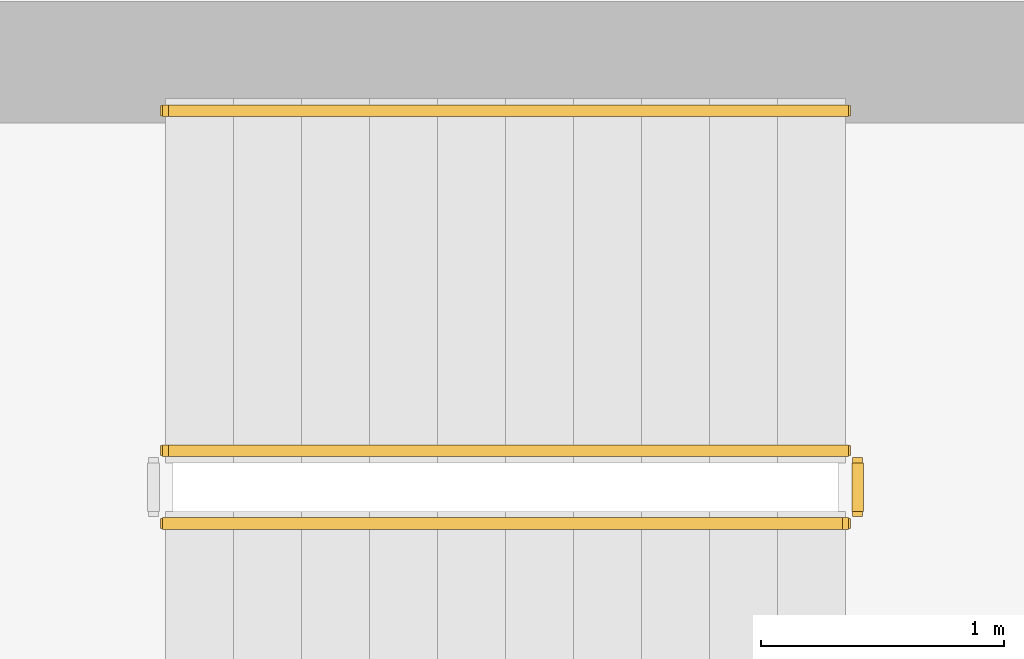
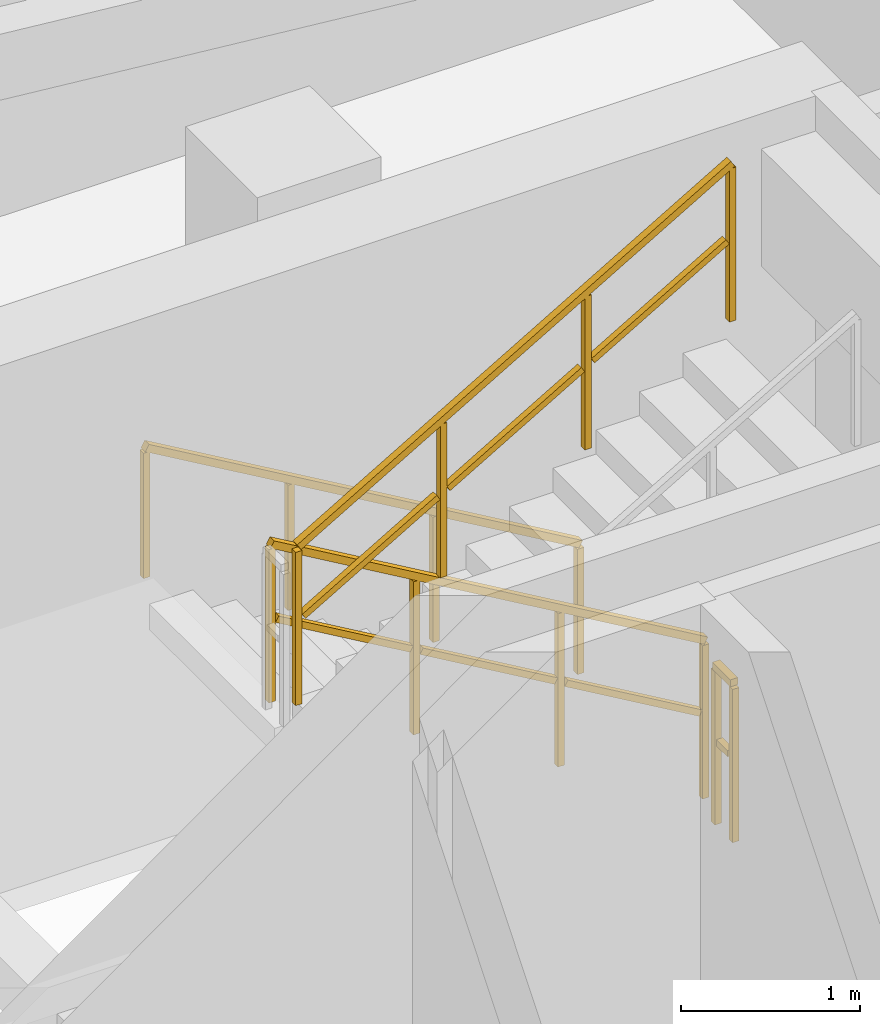
# One storey, part 32 of 34: 4 railings.
"""IFC4 building model written with IfcOpenShell, lengths in metres."""

from ifc_helpers import new_model, si_unit, direction, frame, origin, origin_2d, place, context, subcontext, project, spatial, rectangle, extrude, material, type_object, element, save


model = new_model("IFC4")

# Units and contexts
model_context = context("Model", 3, precision=1e-05, world=origin(), true_north=direction((0.0, 1.0)))
body_context = subcontext(model_context, "Body", "Model", "MODEL_VIEW")
ifc_project = project(units=[si_unit("LENGTHUNIT", "METRE"), si_unit("AREAUNIT", "SQUARE_METRE"), si_unit("VOLUMEUNIT", "CUBIC_METRE"), si_unit("PLANEANGLEUNIT", "RADIAN"), si_unit("MASSUNIT", "GRAM", prefix="KILO")], contexts=[model_context])

# Site, building, storey
site_placement = place(None, origin())
site = spatial("IfcSite", under=ifc_project, at=site_placement, CompositionType="ELEMENT")
building_placement = place(site_placement, origin())
building = spatial("IfcBuilding", under=site, at=building_placement, Name="Thornwick Lancets Civic Towers", CompositionType="ELEMENT")
storey_placement = place(building_placement, frame((0.0, 0.0, 261.89990234375)))
storey = spatial("IfcBuildingStorey", under=building, at=storey_placement, Name="L70", CompositionType="ELEMENT", Elevation=261.89990234375)

# Railings
ifc_material_1 = material(Name="Brushed stainless steel S355", Category="steel")
railing_type_1 = type_object("IfcRailingType", Name="RAIL_HANDRAIL", PredefinedType="HANDRAIL", material=ifc_material_1)
railing_1_placement = place(storey_placement, frame((31.60009765625, 38.949951171875, 0.163818359375)))
element("IfcRailing", 1, at=railing_1_placement, inside=storey, type_object=railing_type_1, Name="L70 ST-A2 stair handrail 1", PredefinedType="HANDRAIL", context=body_context, shape_type="SweptSolid", body=[
    extrude(rectangle(XDim=0.048095703125, YDim=0.048095703125, at=origin_2d()), frame((0.0, 0.0, 0.8857421875), z_axis=(-0.863393664356, 0.0, 0.504530851732), x_axis=(0.0, -1.0, 0.0)), (0.0, 0.0, 1.0), 3.2431640625),
    extrude(rectangle(XDim=0.0419921875, YDim=0.0419921875, at=origin_2d()), origin(), (0.0, 0.0, 1.0), 0.855712890625),
    extrude(rectangle(XDim=0.0419921875, YDim=0.0419921875, at=origin_2d()), frame((-0.933349609375, 0.0, 0.54541015625)), (0.0, 0.0, 1.0), 0.855712890625),
    extrude(rectangle(XDim=0.0419921875, YDim=0.0419921875, at=origin_2d()), frame((-1.86669921875, 0.0, 1.0908203125)), (0.0, 0.0, 1.0), 0.855712890625),
    extrude(rectangle(XDim=0.0419921875, YDim=0.0419921875, at=origin_2d()), frame((-2.800048828125, 0.0, 1.63623046875)), (0.0, 0.0, 1.0), 0.855712890625),
])
ifc_material_2 = material(Name="Steel S355JR", Category="steel")
railing_type_2 = type_object("IfcRailingType", Name="RAIL_STAIR_GUARD", PredefinedType="GUARDRAIL", material=ifc_material_2)
railing_2_placement = place(storey_placement, frame((31.60009765625, 37.550048828125, 0.163818359375)))
element("IfcRailing", 2, at=railing_2_placement, inside=storey, type_object=railing_type_2, Name="L70 ST-A2 stair guard 1", PredefinedType="GUARDRAIL", context=body_context, shape_type="SweptSolid", body=[
    extrude(rectangle(XDim=0.048095703125, YDim=0.048095703125, at=origin_2d()), frame((0.0, 0.0, 1.076171875), z_axis=(-0.863393664356, 0.0, 0.504530851732), x_axis=(0.0, -1.0, 0.0)), (0.0, 0.0, 1.0), 3.2431640625),
    extrude(rectangle(XDim=0.0419921875, YDim=0.0419921875, at=origin_2d()), frame((-0.032470703125, 0.0, 0.591064453125), z_axis=(-0.863393664356, 0.0, 0.504530851732), x_axis=(0.0, -1.0, 0.0)), (0.0, 0.0, 1.0), 1.006103515625),
    extrude(rectangle(XDim=0.0419921875, YDim=0.0419921875, at=origin_2d()), frame((-0.9658203125, 0.0, 1.136474609375), z_axis=(-0.863393664356, 0.0, 0.504530851732), x_axis=(0.0, -1.0, 0.0)), (0.0, 0.0, 1.0), 1.006103515625),
    extrude(rectangle(XDim=0.0419921875, YDim=0.0419921875, at=origin_2d()), frame((-1.899169921875, 0.0, 1.681884765625), z_axis=(-0.863393664356, 0.0, 0.504530851732), x_axis=(0.0, -1.0, 0.0)), (0.0, 0.0, 1.0), 1.006103515625),
    extrude(rectangle(XDim=0.0419921875, YDim=0.0419921875, at=origin_2d()), origin(), (0.0, 0.0, 1.0), 1.0458984375),
    extrude(rectangle(XDim=0.0419921875, YDim=0.0419921875, at=origin_2d()), frame((-0.933349609375, 0.0, 0.54541015625)), (0.0, 0.0, 1.0), 1.0458984375),
    extrude(rectangle(XDim=0.0419921875, YDim=0.0419921875, at=origin_2d()), frame((-1.86669921875, 0.0, 1.0908203125)), (0.0, 0.0, 1.0), 1.0458984375),
    extrude(rectangle(XDim=0.0419921875, YDim=0.0419921875, at=origin_2d()), frame((-2.800048828125, 0.0, 1.63623046875)), (0.0, 0.0, 1.0), 1.0458984375),
])
railing_3_placement = place(storey_placement, frame((28.800048828125, 37.25, 1.963623046875)))
element("IfcRailing", 3, at=railing_3_placement, inside=storey, type_object=railing_type_2, Name="L70 ST-A2 stair guard 3", PredefinedType="GUARDRAIL", context=body_context, shape_type="SweptSolid", body=[
    extrude(rectangle(XDim=0.048095703125, YDim=0.048095703125, at=origin_2d()), frame((0.0, 0.0, 1.076171875), z_axis=(0.863360870873, 0.0, 0.504586966384), x_axis=(0.0, 1.0, 0.0)), (0.0, 0.0, 1.0), 3.2431640625),
    extrude(rectangle(XDim=0.0419921875, YDim=0.0419921875, at=origin_2d()), frame((0.032470703125, 0.0, 0.591064453125), z_axis=(0.863360870873, 0.0, 0.504586966384), x_axis=(0.0, 1.0, 0.0)), (0.0, 0.0, 1.0), 1.006103515625),
    extrude(rectangle(XDim=0.0419921875, YDim=0.0419921875, at=origin_2d()), frame((0.9658203125, 0.0, 1.136474609375), z_axis=(0.863360870873, 0.0, 0.504586966384), x_axis=(0.0, 1.0, 0.0)), (0.0, 0.0, 1.0), 1.006103515625),
    extrude(rectangle(XDim=0.0419921875, YDim=0.0419921875, at=origin_2d()), frame((1.899169921875, 0.0, 1.681884765625), z_axis=(0.863360870873, 0.0, 0.504586966384), x_axis=(0.0, 1.0, 0.0)), (0.0, 0.0, 1.0), 1.006103515625),
    extrude(rectangle(XDim=0.0419921875, YDim=0.0419921875, at=origin_2d()), origin(), (0.0, 0.0, 1.0), 1.0458984375),
    extrude(rectangle(XDim=0.0419921875, YDim=0.0419921875, at=origin_2d()), frame((0.933349609375, 0.0, 0.54541015625)), (0.0, 0.0, 1.0), 1.0458984375),
    extrude(rectangle(XDim=0.0419921875, YDim=0.0419921875, at=origin_2d()), frame((1.86669921875, 0.0, 1.091064453125)), (0.0, 0.0, 1.0), 1.0458984375),
    extrude(rectangle(XDim=0.0419921875, YDim=0.0419921875, at=origin_2d()), frame((2.800048828125, 0.0, 1.636474609375)), (0.0, 0.0, 1.0), 1.0458984375),
])
railing_4_placement = place(storey_placement, frame((31.64990234375, 37.5, 0.0)))
element("IfcRailing", 4, at=railing_4_placement, inside=storey, type_object=railing_type_2, Name="L70 ST-A2 stair guard 4", PredefinedType="GUARDRAIL", context=body_context, shape_type="SweptSolid", body=[
    extrude(rectangle(XDim=0.048095703125, YDim=0.048095703125, at=origin_2d()), frame((0.0, 0.0, 1.076171875), z_axis=(0.0, -1.0, 0.0), x_axis=(1.0, 0.0, 0.0)), (0.0, 0.0, 1.0), 0.199951171875),
    extrude(rectangle(XDim=0.0419921875, YDim=0.0419921875, at=origin_2d()), frame((0.0, -0.03759765625, 0.572021484375), z_axis=(0.0, -1.0, 0.0), x_axis=(1.0, 0.0, 0.0)), (0.0, 0.0, 1.0), 0.125),
    extrude(rectangle(XDim=0.0419921875, YDim=0.0419921875, at=origin_2d()), origin(), (0.0, 0.0, 1.0), 1.0458984375),
    extrude(rectangle(XDim=0.0419921875, YDim=0.0419921875, at=origin_2d()), frame((0.0, -0.199951171875, 0.0)), (0.0, 0.0, 1.0), 1.0458984375),
])

save(model, "model.ifc")
